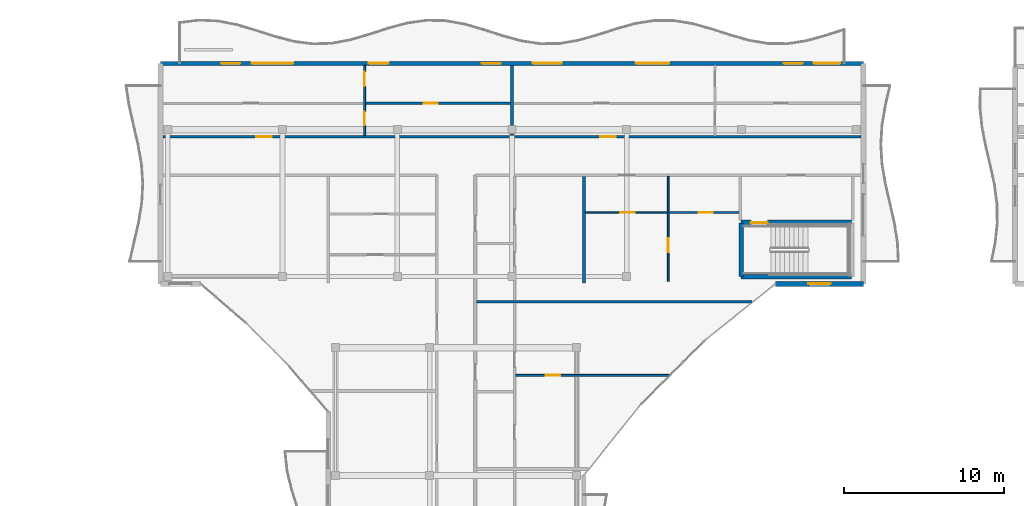
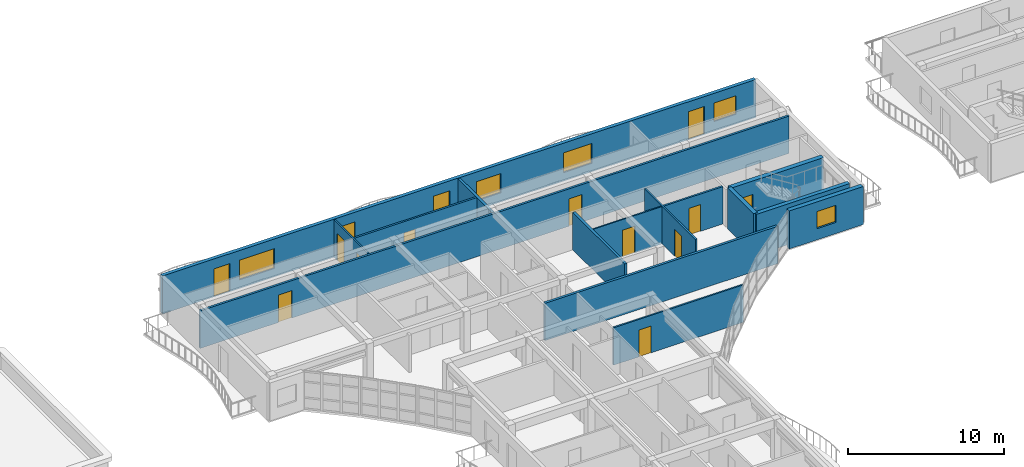
# One storey, part 23 of 39: 15 walls, 13 doors, 6 windows, 19 openings.
"""IFC4 building model written with IfcOpenShell, lengths in metres."""

from ifc_helpers import new_model, si_unit, direction, frame, frame_2d, origin, place, context, subcontext, project, spatial, rectangle, extrude, material, layer, layer_set, type_object, element, fill, save


model = new_model("IFC4")

# Units and contexts
model_context = context("Model", 3, precision=1e-05, world=origin(), true_north=direction((0.0, 1.0)))
body_context = subcontext(model_context, "Body", "Model", "MODEL_VIEW")
ifc_project = project(units=[si_unit("LENGTHUNIT", "METRE"), si_unit("AREAUNIT", "SQUARE_METRE"), si_unit("VOLUMEUNIT", "CUBIC_METRE"), si_unit("PLANEANGLEUNIT", "RADIAN"), si_unit("MASSUNIT", "GRAM", prefix="KILO")], contexts=[model_context])

# Site, building, storey
site_placement = place(None, origin())
site = spatial("IfcSite", under=ifc_project, at=site_placement, CompositionType="ELEMENT")
building_placement = place(site_placement, origin())
building = spatial("IfcBuilding", under=site, at=building_placement, Name="Keldmere Railside Commons", CompositionType="ELEMENT")
storey_placement = place(building_placement, frame((0.0, 0.0, 32.9599609375)))
storey = spatial("IfcBuildingStorey", under=building, at=storey_placement, Name="L10", CompositionType="ELEMENT", Elevation=32.9599609375)

# Walls
ifc_material_1 = material(Name="Acoustic Gypsum Board Partition", Category="gypsum")
ifc_layer_1 = layer(ifc_material_1, 0.179931640625, Name="Acoustic Demising Partition 180")
ifc_layer_set_1 = layer_set([ifc_layer_1], Name="Acoustic Gypsum Board Partition")
wall_type_1 = type_object("IfcWallType", Name="Acoustic Demising Partition 180", PredefinedType="PARTITIONING", material=ifc_layer_set_1)
wall_1_placement = place(storey_placement, frame((120.0, 100.050048828125, 0.0), z_axis=(0.0, 0.0, 1.0), x_axis=(0.0, 1.0, 0.0)))
element("IfcWall", 1, at=wall_1_placement, inside=storey, type_object=wall_type_1, Name="IW-1 IW-L10-1324", PredefinedType="PARTITIONING", context=body_context, shape_type="SweptSolid", body=[
    extrude(rectangle(XDim=6.669921875, YDim=0.179931640625, at=frame_2d((3.3349609375, 0.0))), origin(), (0.0, 0.0, 1.0), 2.93505859375),
])
wall_2_placement = place(storey_placement, frame((113.280029296875, 98.8798828125, 0.0), z_axis=(0.0, 0.0, 1.0), x_axis=(1.0, 0.0, 0.0)))
element("IfcWall", 2, at=wall_2_placement, inside=storey, type_object=wall_type_1, Name="IW-1 IW-L10-1330", PredefinedType="PARTITIONING", context=body_context, shape_type="SweptSolid", body=[
    extrude(rectangle(XDim=17.260009765625, YDim=0.179931640625, at=frame_2d((8.6298828125, 0.0))), origin(), (0.0, 0.0, 1.0), 2.93505859375),
])
wall_3_placement = place(storey_placement, frame((115.5, 109.280029296875, 0.0), z_axis=(0.0, 0.0, 1.0), x_axis=(0.0, 1.0, 0.0)))
element("IfcWall", 3, at=wall_3_placement, inside=storey, type_object=wall_type_1, Name="IW-1 IW-L10-1339", PredefinedType="PARTITIONING", context=body_context, shape_type="SweptSolid", body=[
    extrude(rectangle(XDim=4.389892578125, YDim=0.179931640625, at=frame_2d((2.19482421875, 0.0))), origin(), (0.0, 0.0, 1.0), 2.93505859375),
])

# Wall, opening, door
ifc_layer_2 = layer(ifc_material_1, 0.1201171875, Name="Apartment Interior Partition 120")
ifc_layer_set_2 = layer_set([ifc_layer_2], Name="Acoustic Gypsum Board Partition")
wall_type_2 = type_object("IfcWallType", Name="Apartment Interior Partition 120", PredefinedType="PARTITIONING", material=ifc_layer_set_2)
wall_4_placement = place(storey_placement, frame((115.719970703125, 94.27001953125, 0.0), z_axis=(0.0, 0.0, 1.0), x_axis=(1.0, 0.0, 0.0)))
wall_4 = element("IfcWall", 4, at=wall_4_placement, inside=storey, type_object=wall_type_2, Name="IW-4 IW-L10-1336", PredefinedType="PARTITIONING", context=body_context, shape_type="SweptSolid", body=[
    extrude(rectangle(XDim=9.617431640625, YDim=0.1201171875, at=frame_2d((4.80859375, 0.0))), origin(), (0.0, 0.0, 1.0), 2.93505859375),
])
opening_1_placement = place(wall_4_placement, frame((1.888916015625, 0.0, 0.0)))
opening_1 = element("IfcOpeningElement", 5, at=opening_1_placement, cuts=wall_4, Name="Opening ID-01", PredefinedType="OPENING", context=body_context, shape_type="SweptSolid", body=[
    extrude(rectangle(XDim=0.89990234375, YDim=2.10009765625, at=frame_2d((0.449951171875, 1.050048828125))), frame((0.0, 0.070068359375, 0.0), z_axis=(0.0, -1.0, 0.0), x_axis=(1.0, 0.0, 0.0)), (0.0, 0.0, 1.0), 0.14013671875),
])
ifc_material_2 = material(Name="Engineered Oak Timber", Category="wood")
door_type_1 = type_object("IfcDoorType", Name="Primary Bedroom Door 900x2100", OperationType="NOTDEFINED", PredefinedType="DOOR", material=ifc_material_2)
door_1_placement = place(opening_1_placement, origin())
door_1 = element("IfcDoor", 6, at=door_1_placement, inside=storey, type_object=door_type_1, Name="ID-01 IDR-L10-1190", OperationType="SINGLE_SWING_RIGHT", OverallHeight=2.10009765625, OverallWidth=0.89990234375, PredefinedType="DOOR", context=body_context, shape_type="SweptSolid", body=[
    extrude(rectangle(XDim=0.89990234375, YDim=2.10009765625, at=frame_2d((0.449951171875, 1.050048828125))), frame((0.0, 0.02490234375, 0.0), z_axis=(0.0, -1.0, 0.0), x_axis=(1.0, 0.0, 0.0)), (0.0, 0.0, 1.0), 0.050048828125),
])
fill(opening_1, door_1)

# Wall, openings, doors
wall_5_placement = place(storey_placement, frame((106.27001953125, 109.280029296875, 0.0), z_axis=(0.0, 0.0, 1.0), x_axis=(0.0, 1.0, 0.0)))
wall_5 = element("IfcWall", 7, at=wall_5_placement, inside=storey, type_object=wall_type_2, Name="IW-4 IW-L10-1340", PredefinedType="PARTITIONING", context=body_context, shape_type="SweptSolid", body=[
    extrude(rectangle(XDim=4.389892578125, YDim=0.1201171875, at=frame_2d((2.19482421875, 0.0))), origin(), (0.0, 0.0, 1.0), 2.93505859375),
])
opening_2_placement = place(wall_5_placement, frame((0.646484375, 0.0, 0.0)))
opening_2 = element("IfcOpeningElement", 8, at=opening_2_placement, cuts=wall_5, Name="Opening ID-04", PredefinedType="OPENING", context=body_context, shape_type="SweptSolid", body=[
    extrude(rectangle(XDim=0.860107421875, YDim=2.10009765625, at=frame_2d((0.43017578125, 1.050048828125))), frame((0.0, 0.070068359375, 0.0), z_axis=(0.0, -1.0, 0.0), x_axis=(1.0, 0.0, 0.0)), (0.0, 0.0, 1.0), 0.14013671875),
])
opening_3_placement = place(wall_5_placement, frame((3.08642578125, 0.0, 0.0)))
opening_3 = element("IfcOpeningElement", 9, at=opening_3_placement, cuts=wall_5, Name="Opening ID-01", PredefinedType="OPENING", context=body_context, shape_type="SweptSolid", body=[
    extrude(rectangle(XDim=0.89990234375, YDim=2.10009765625, at=frame_2d((0.449951171875, 1.050048828125))), frame((0.0, 0.070068359375, 0.0), z_axis=(0.0, -1.0, 0.0), x_axis=(1.0, 0.0, 0.0)), (0.0, 0.0, 1.0), 0.14013671875),
])
door_type_2 = type_object("IfcDoorType", Name="Apartment Bathroom Door 860x2100", OperationType="NOTDEFINED", PredefinedType="DOOR", material=ifc_material_2)
door_2_placement = place(opening_2_placement, origin())
door_2 = element("IfcDoor", 10, at=door_2_placement, inside=storey, type_object=door_type_2, Name="ID-04 IDR-L10-1196", OperationType="SINGLE_SWING_RIGHT", OverallHeight=2.10009765625, OverallWidth=0.860107421875, PredefinedType="DOOR", context=body_context, shape_type="SweptSolid", body=[
    extrude(rectangle(XDim=0.860107421875, YDim=2.10009765625, at=frame_2d((0.43017578125, 1.050048828125))), frame((0.0, 0.02490234375, 0.0), z_axis=(0.0, -1.0, 0.0), x_axis=(1.0, 0.0, 0.0)), (0.0, 0.0, 1.0), 0.050048828125),
])
fill(opening_2, door_2)
door_3_placement = place(opening_3_placement, origin())
door_3 = element("IfcDoor", 11, at=door_3_placement, inside=storey, type_object=door_type_1, Name="ID-01 IDR-L10-1197", OperationType="SINGLE_SWING_LEFT", OverallHeight=2.10009765625, OverallWidth=0.89990234375, PredefinedType="DOOR", context=body_context, shape_type="SweptSolid", body=[
    extrude(rectangle(XDim=0.89990234375, YDim=2.10009765625, at=frame_2d((0.449951171875, 1.050048828125))), frame((0.0, 0.02490234375, 0.0), z_axis=(0.0, -1.0, 0.0), x_axis=(1.0, 0.0, 0.0)), (0.0, 0.0, 1.0), 0.050048828125),
])
fill(opening_3, door_3)

# Wall, opening, door
wall_6_placement = place(storey_placement, frame((125.280029296875, 100.159912109375, 0.0), z_axis=(0.0, 0.0, 1.0), x_axis=(0.0, 1.0, 0.0)))
wall_6 = element("IfcWall", 12, at=wall_6_placement, inside=storey, type_object=wall_type_2, Name="IW-4 IW-L10-1346", PredefinedType="PARTITIONING", context=body_context, shape_type="SweptSolid", body=[
    extrude(rectangle(XDim=6.56005859375, YDim=0.1201171875, at=frame_2d((3.280029296875, 0.0))), origin(), (0.0, 0.0, 1.0), 2.93505859375),
])
opening_4_placement = place(wall_6_placement, frame((1.810302734375, 0.0, 0.0)))
opening_4 = element("IfcOpeningElement", 13, at=opening_4_placement, cuts=wall_6, Name="Opening ID-02", PredefinedType="OPENING", context=body_context, shape_type="SweptSolid", body=[
    extrude(rectangle(XDim=0.8798828125, YDim=2.10009765625, at=frame_2d((0.43994140625, 1.050048828125))), frame((0.0, 0.070068359375, 0.0), z_axis=(0.0, -1.0, 0.0), x_axis=(1.0, 0.0, 0.0)), (0.0, 0.0, 1.0), 0.14013671875),
])
door_type_3 = type_object("IfcDoorType", Name="Secondary Bedroom Door 880x2100", OperationType="NOTDEFINED", PredefinedType="DOOR", material=ifc_material_2)
door_4_placement = place(opening_4_placement, origin())
door_4 = element("IfcDoor", 14, at=door_4_placement, inside=storey, type_object=door_type_3, Name="ID-02 IDR-L10-1206", OperationType="SINGLE_SWING_RIGHT", OverallHeight=2.10009765625, OverallWidth=0.8798828125, PredefinedType="DOOR", context=body_context, shape_type="SweptSolid", body=[
    extrude(rectangle(XDim=0.8798828125, YDim=2.10009765625, at=frame_2d((0.43994140625, 1.050048828125))), frame((0.0, 0.02490234375, 0.0), z_axis=(0.0, -1.0, 0.0), x_axis=(1.0, 0.0, 0.0)), (0.0, 0.0, 1.0), 0.050048828125),
])
fill(opening_4, door_4)

ifc_layer_3 = layer(ifc_material_1, 0.10009765625, Name="Closet Light Partition 100")
ifc_layer_set_3 = layer_set([ifc_layer_3], Name="Acoustic Gypsum Board Partition")
wall_type_3 = type_object("IfcWallType", Name="Closet Light Partition 100", PredefinedType="PARTITIONING", material=ifc_layer_set_3)
wall_7_placement = place(storey_placement, frame((120.090087890625, 104.469970703125, 0.0), z_axis=(0.0, 0.0, 1.0), x_axis=(1.0, 0.0, 0.0)))
wall_7 = element("IfcWall", 15, at=wall_7_placement, inside=storey, type_object=wall_type_3, Name="IW-6 IW-L10-1348", PredefinedType="PARTITIONING", context=body_context, shape_type="SweptSolid", body=[
    extrude(rectangle(XDim=5.1298828125, YDim=0.10009765625, at=frame_2d((2.56494140625, 0.0))), origin(), (0.0, 0.0, 1.0), 2.93505859375),
])
opening_5_placement = place(wall_7_placement, frame((2.1796875, 0.0, 0.0)))
opening_5 = element("IfcOpeningElement", 16, at=opening_5_placement, cuts=wall_7, Name="Opening ID-03", PredefinedType="OPENING", context=body_context, shape_type="SweptSolid", body=[
    extrude(rectangle(XDim=0.919921875, YDim=2.10009765625, at=frame_2d((0.4599609375, 1.050048828125))), frame((0.0, 0.06005859375, 0.0), z_axis=(0.0, -1.0, 0.0), x_axis=(1.0, 0.0, 0.0)), (0.0, 0.0, 1.0), 0.1201171875),
])
door_type_4 = type_object("IfcDoorType", Name="Kitchen Pocket-Frame Swing Door 920x2100", OperationType="NOTDEFINED", PredefinedType="DOOR", material=ifc_material_2)
door_5_placement = place(opening_5_placement, origin())
door_5 = element("IfcDoor", 17, at=door_5_placement, inside=storey, type_object=door_type_4, Name="ID-03 IDR-L10-1205", OperationType="SINGLE_SWING_LEFT", OverallHeight=2.10009765625, OverallWidth=0.919921875, PredefinedType="DOOR", context=body_context, shape_type="SweptSolid", body=[
    extrude(rectangle(XDim=0.919921875, YDim=2.10009765625, at=frame_2d((0.4599609375, 1.050048828125))), frame((0.0, 0.02490234375, 0.0), z_axis=(0.0, -1.0, 0.0), x_axis=(1.0, 0.0, 0.0)), (0.0, 0.0, 1.0), 0.050048828125),
])
fill(opening_5, door_5)

# Wall, openings, doors
ifc_layer_4 = layer(ifc_material_1, 0.159912109375, Name="Corridor Fire Partition 160")
ifc_layer_set_4 = layer_set([ifc_layer_4], Name="Acoustic Gypsum Board Partition")
wall_type_4 = type_object("IfcWallType", Name="Corridor Fire Partition 160", PredefinedType="PARTITIONING", material=ifc_layer_set_4)
wall_8_placement = place(storey_placement, frame((93.659912109375, 109.199951171875, 0.0), z_axis=(0.0, 0.0, 1.0), x_axis=(1.0, 0.0, 0.0)))
wall_8 = element("IfcWall", 18, at=wall_8_placement, inside=storey, type_object=wall_type_4, Name="IW-2 IW-L10-1323", PredefinedType="PARTITIONING", context=body_context, shape_type="SweptSolid", body=[
    extrude(rectangle(XDim=43.68017578125, YDim=0.159912109375, at=frame_2d((21.840087890625, 0.0))), origin(), (0.0, 0.0, 1.0), 2.93505859375),
])
opening_6_placement = place(wall_8_placement, frame((5.81494140625, 0.0, 0.0)))
opening_6 = element("IfcOpeningElement", 19, at=opening_6_placement, cuts=wall_8, Name="Opening FD-7", PredefinedType="OPENING", context=body_context, shape_type="SweptSolid", body=[
    extrude(rectangle(XDim=0.97998046875, YDim=2.14990234375, at=frame_2d((0.489990234375, 1.074951171875))), frame((0.0, 0.08984375, 0.0), z_axis=(0.0, -1.0, 0.0), x_axis=(1.0, 0.0, 0.0)), (0.0, 0.0, 1.0), 0.179931640625),
])
opening_7_placement = place(wall_8_placement, frame((27.35009765625, 0.0, 0.0)))
opening_7 = element("IfcOpeningElement", 20, at=opening_7_placement, cuts=wall_8, Name="Opening FD-7", PredefinedType="OPENING", context=body_context, shape_type="SweptSolid", body=[
    extrude(rectangle(XDim=0.97998046875, YDim=2.14990234375, at=frame_2d((0.489990234375, 1.074951171875))), frame((0.0, 0.08984375, 0.0), z_axis=(0.0, -1.0, 0.0), x_axis=(1.0, 0.0, 0.0)), (0.0, 0.0, 1.0), 0.179931640625),
])
door_type_5 = type_object("IfcDoorType", Name="Apartment Entrance Acoustic Fire Door 980x2150", OperationType="NOTDEFINED", PredefinedType="DOOR", material=ifc_material_2)
door_6_placement = place(opening_6_placement, origin())
door_6 = element("IfcDoor", 21, at=door_6_placement, inside=storey, type_object=door_type_5, Name="FD-7 IDR-L10-1194", OperationType="SINGLE_SWING_RIGHT", OverallHeight=2.14990234375, OverallWidth=0.97998046875, PredefinedType="DOOR", context=body_context, shape_type="SweptSolid", body=[
    extrude(rectangle(XDim=0.97998046875, YDim=2.14990234375, at=frame_2d((0.489990234375, 1.074951171875))), frame((0.0, 0.02490234375, 0.0), z_axis=(0.0, -1.0, 0.0), x_axis=(1.0, 0.0, 0.0)), (0.0, 0.0, 1.0), 0.050048828125),
])
fill(opening_6, door_6)
door_7_placement = place(opening_7_placement, origin())
door_7 = element("IfcDoor", 22, at=door_7_placement, inside=storey, type_object=door_type_5, Name="FD-7 IDR-L10-1199", OperationType="SINGLE_SWING_LEFT", OverallHeight=2.14990234375, OverallWidth=0.97998046875, PredefinedType="DOOR", context=body_context, shape_type="SweptSolid", body=[
    extrude(rectangle(XDim=0.97998046875, YDim=2.14990234375, at=frame_2d((0.489990234375, 1.074951171875))), frame((0.0, 0.02490234375, 0.0), z_axis=(0.0, -1.0, 0.0), x_axis=(1.0, 0.0, 0.0)), (0.0, 0.0, 1.0), 0.050048828125),
])
fill(opening_7, door_7)

# Wall, opening, window
ifc_material_3 = material(Name="Concrete H-35 (C35/45)", Category="concrete")
ifc_layer_5 = layer(ifc_material_3, 0.320068359375, Name="Exterior Shear Wall 320")
ifc_layer_set_5 = layer_set([ifc_layer_5], Name="Concrete H-35 (C35/45)")
wall_type_5 = type_object("IfcWallType", Name="Exterior Shear Wall 320", PredefinedType="SHEAR", material=ifc_layer_set_5)
wall_9_placement = place(storey_placement, frame((137.5, 100.0, 0.0), z_axis=(0.0, 0.0, 1.0), x_axis=(-1.0, 0.0, 0.0)))
wall_9 = element("IfcWall", 23, at=wall_9_placement, inside=storey, type_object=wall_type_5, Name="ESW-2 EXTB-L10-0666", PredefinedType="SHEAR", context=body_context, shape_type="SweptSolid", body=[
    extrude(rectangle(XDim=5.5, YDim=0.320068359375, at=frame_2d((2.75, 0.0))), origin(), (0.0, 0.0, 1.0), 2.97998046875),
])
opening_8_placement = place(wall_9_placement, frame((2.050048828125, 0.0, 0.8701171875)))
opening_8 = element("IfcOpeningElement", 24, at=opening_8_placement, cuts=wall_9, Name="Opening WN-08", PredefinedType="OPENING", context=body_context, shape_type="SweptSolid", body=[
    extrude(rectangle(XDim=1.39990234375, YDim=1.35009765625, at=frame_2d((0.699951171875, 0.675048828125))), frame((0.0, 0.169921875, 0.0), z_axis=(0.0, -1.0, 0.0), x_axis=(1.0, 0.0, 0.0)), (0.0, 0.0, 1.0), 0.340087890625),
])
ifc_material_4 = material(Name="Low-E Insulated Double Glazing", Category="glass")
window_type_1 = type_object("IfcWindowType", Name="Primary Bedroom East/West Window 1400x1350", PartitioningType="SINGLE_PANEL", PredefinedType="WINDOW", material=ifc_material_4)
window_1_placement = place(opening_8_placement, origin())
window_1 = element("IfcWindow", 25, at=window_1_placement, inside=storey, type_object=window_type_1, Name="WN-08 WIN-L10-0529", OverallHeight=1.35009765625, OverallWidth=1.39990234375, PartitioningType="SINGLE_PANEL", PredefinedType="WINDOW", context=body_context, shape_type="SweptSolid", body=[
    extrude(rectangle(XDim=1.39990234375, YDim=1.35009765625, at=frame_2d((0.699951171875, 0.675048828125))), frame((0.0, 0.030029296875, 0.0), z_axis=(0.0, -1.0, 0.0), x_axis=(1.0, 0.0, 0.0)), (0.0, 0.0, 1.0), 0.06005859375),
])
fill(opening_8, window_1)

# Walls
ifc_layer_6 = layer(ifc_material_3, 0.300048828125, Name="Interior Shear Wall 300")
ifc_layer_set_6 = layer_set([ifc_layer_6], Name="Concrete H-35 (C35/45)")
wall_type_6 = type_object("IfcWallType", Name="Interior Shear Wall 300", PredefinedType="SHEAR", material=ifc_layer_set_6)
wall_10_placement = place(storey_placement, frame((129.85009765625, 100.449951171875, 0.0), z_axis=(0.0, 0.0, 1.0), x_axis=(1.0, 0.0, 0.0)))
element("IfcWall", 26, at=wall_10_placement, inside=storey, type_object=wall_type_6, Name="ISW-2 COREB2S-L10-0560", PredefinedType="SHEAR", context=body_context, shape_type="SweptSolid", body=[
    extrude(rectangle(XDim=6.89990234375, YDim=0.300048828125, at=frame_2d((3.449951171875, 0.0))), origin(), (0.0, 0.0, 1.0), 3.199951171875),
])
wall_11_placement = place(storey_placement, frame((129.85009765625, 103.820068359375, 0.0), z_axis=(0.0, 0.0, 1.0), x_axis=(0.0, -1.0, 0.0)))
element("IfcWall", 27, at=wall_11_placement, inside=storey, type_object=wall_type_6, Name="ISW-2 COREB2W-L10-0562", PredefinedType="SHEAR", context=body_context, shape_type="SweptSolid", body=[
    extrude(rectangle(XDim=3.3701171875, YDim=0.300048828125, at=frame_2d((1.68505859375, 0.0))), origin(), (0.0, 0.0, 1.0), 3.199951171875),
])

# Wall, opening, door
ifc_layer_7 = layer(ifc_material_3, 0.340087890625, Name="Interior Shear Wall 340")
ifc_layer_set_7 = layer_set([ifc_layer_7], Name="Concrete H-35 (C35/45)")
wall_type_7 = type_object("IfcWallType", Name="Interior Shear Wall 340", PredefinedType="SHEAR", material=ifc_layer_set_7)
wall_12_placement = place(storey_placement, frame((136.75, 103.820068359375, 0.0), z_axis=(0.0, 0.0, 1.0), x_axis=(-1.0, 0.0, 0.0)))
wall_12 = element("IfcWall", 28, at=wall_12_placement, inside=storey, type_object=wall_type_7, Name="ISW-1 COREB2N-L10-0561", PredefinedType="SHEAR", context=body_context, shape_type="SweptSolid", body=[
    extrude(rectangle(XDim=6.89990234375, YDim=0.340087890625, at=frame_2d((3.449951171875, 0.0))), origin(), (0.0, 0.0, 1.0), 3.199951171875),
])
opening_9_placement = place(wall_12_placement, frame((5.25, 0.0, 0.0)))
opening_9 = element("IfcOpeningElement", 29, at=opening_9_placement, cuts=wall_12, Name="Opening FD-1", PredefinedType="OPENING", context=body_context, shape_type="SweptSolid", body=[
    extrude(rectangle(XDim=1.050048828125, YDim=2.14990234375, at=frame_2d((0.52490234375, 1.074951171875))), frame((0.0, 0.179931640625, 0.0), z_axis=(0.0, -1.0, 0.0), x_axis=(1.0, 0.0, 0.0)), (0.0, 0.0, 1.0), 0.360107421875),
])
ifc_material_5 = material(Name="Steel F-24 (S235)", Category="steel")
door_type_6 = type_object("IfcDoorType", Name="Stair Core Fire Door 1050x2150", OperationType="NOTDEFINED", PredefinedType="DOOR", material=ifc_material_5)
door_8_placement = place(opening_9_placement, origin())
door_8 = element("IfcDoor", 30, at=door_8_placement, inside=storey, type_object=door_type_6, Name="FD-1 B2 L10", OperationType="SINGLE_SWING_RIGHT", OverallHeight=2.14990234375, OverallWidth=1.050048828125, PredefinedType="DOOR", context=body_context, shape_type="SweptSolid", body=[
    extrude(rectangle(XDim=1.050048828125, YDim=2.14990234375, at=frame_2d((0.52490234375, 1.074951171875))), frame((0.0, 0.02490234375, 0.0), z_axis=(0.0, -1.0, 0.0), x_axis=(1.0, 0.0, 0.0)), (0.0, 0.0, 1.0), 0.050048828125),
])
fill(opening_9, door_8)

# Wall, openings, doors, windows
ifc_material_6 = material(Name="Terracotta Brick Masonry", Category="masonry")
ifc_layer_8 = layer(ifc_material_6, 0.260009765625, Name="Terracotta Cavity Wall 260")
ifc_layer_set_8 = layer_set([ifc_layer_8], Name="Terracotta Brick Masonry")
wall_type_8 = type_object("IfcWallType", Name="Terracotta Cavity Wall 260", PredefinedType="SOLIDWALL", material=ifc_layer_set_8)
wall_13_placement = place(storey_placement, frame((93.5, 113.800048828125, 0.0), z_axis=(0.0, 0.0, 1.0), x_axis=(1.0, 0.0, 0.0)))
wall_13 = element("IfcWall", 31, at=wall_13_placement, inside=storey, type_object=wall_type_8, Name="EW-1 EXTB-L10-0668", PredefinedType="SOLIDWALL", context=body_context, shape_type="SweptSolid", body=[
    extrude(rectangle(XDim=44.0, YDim=0.260009765625, at=frame_2d((22.0, 0.0))), origin(), (0.0, 0.0, 1.0), 2.97998046875),
])
opening_10_placement = place(wall_13_placement, frame((3.800048828125, 0.0, 0.0)))
opening_10 = element("IfcOpeningElement", 32, at=opening_10_placement, cuts=wall_13, Name="Opening BD-01", PredefinedType="OPENING", context=body_context, shape_type="SweptSolid", body=[
    extrude(rectangle(XDim=1.199951171875, YDim=2.199951171875, at=frame_2d((0.60009765625, 1.10009765625))), frame((0.0, 0.139892578125, 0.0), z_axis=(0.0, -1.0, 0.0), x_axis=(1.0, 0.0, 0.0)), (0.0, 0.0, 1.0), 0.280029296875),
])
opening_11_placement = place(wall_13_placement, frame((5.699951171875, 0.0, 0.669921875)))
opening_11 = element("IfcOpeningElement", 33, at=opening_11_placement, cuts=wall_13, Name="Opening WN-39", PredefinedType="OPENING", context=body_context, shape_type="SweptSolid", body=[
    extrude(rectangle(XDim=2.60009765625, YDim=1.550048828125, at=frame_2d((1.300048828125, 0.77490234375))), frame((0.0, 0.139892578125, 0.0), z_axis=(0.0, -1.0, 0.0), x_axis=(1.0, 0.0, 0.0)), (0.0, 0.0, 1.0), 0.280029296875),
])
opening_12_placement = place(wall_13_placement, frame((13.02490234375, 0.0, 0.8701171875)))
opening_12 = element("IfcOpeningElement", 34, at=opening_12_placement, cuts=wall_13, Name="Opening WN-09", PredefinedType="OPENING", context=body_context, shape_type="SweptSolid", body=[
    extrude(rectangle(XDim=1.25, YDim=1.35009765625, at=frame_2d((0.625, 0.675048828125))), frame((0.0, 0.139892578125, 0.0), z_axis=(0.0, -1.0, 0.0), x_axis=(1.0, 0.0, 0.0)), (0.0, 0.0, 1.0), 0.280029296875),
])
opening_13_placement = place(wall_13_placement, frame((20.10009765625, 0.0, 0.0)))
opening_13 = element("IfcOpeningElement", 35, at=opening_13_placement, cuts=wall_13, Name="Opening BD-01", PredefinedType="OPENING", context=body_context, shape_type="SweptSolid", body=[
    extrude(rectangle(XDim=1.199951171875, YDim=2.199951171875, at=frame_2d((0.60009765625, 1.10009765625))), frame((0.0, 0.139892578125, 0.0), z_axis=(0.0, -1.0, 0.0), x_axis=(1.0, 0.0, 0.0)), (0.0, 0.0, 1.0), 0.280029296875),
])
opening_14_placement = place(wall_13_placement, frame((23.300048828125, 0.0, 0.719970703125)))
opening_14 = element("IfcOpeningElement", 36, at=opening_14_placement, cuts=wall_13, Name="Opening WN-01", PredefinedType="OPENING", context=body_context, shape_type="SweptSolid", body=[
    extrude(rectangle(XDim=1.800048828125, YDim=1.5, at=frame_2d((0.89990234375, 0.75))), frame((0.0, 0.139892578125, 0.0), z_axis=(0.0, -1.0, 0.0), x_axis=(1.0, 0.0, 0.0)), (0.0, 0.0, 1.0), 0.280029296875),
])
opening_15_placement = place(wall_13_placement, frame((29.75, 0.0, 0.669921875)))
opening_15 = element("IfcOpeningElement", 37, at=opening_15_placement, cuts=wall_13, Name="Opening WN-11", PredefinedType="OPENING", context=body_context, shape_type="SweptSolid", body=[
    extrude(rectangle(XDim=2.10009765625, YDim=1.550048828125, at=frame_2d((1.050048828125, 0.77490234375))), frame((0.0, 0.139892578125, 0.0), z_axis=(0.0, -1.0, 0.0), x_axis=(1.0, 0.0, 0.0)), (0.0, 0.0, 1.0), 0.280029296875),
])
opening_16_placement = place(wall_13_placement, frame((39.0, 0.0, 0.0)))
opening_16 = element("IfcOpeningElement", 38, at=opening_16_placement, cuts=wall_13, Name="Opening BD-01", PredefinedType="OPENING", context=body_context, shape_type="SweptSolid", body=[
    extrude(rectangle(XDim=1.199951171875, YDim=2.199951171875, at=frame_2d((0.60009765625, 1.10009765625))), frame((0.0, 0.139892578125, 0.0), z_axis=(0.0, -1.0, 0.0), x_axis=(1.0, 0.0, 0.0)), (0.0, 0.0, 1.0), 0.280029296875),
])
opening_17_placement = place(wall_13_placement, frame((40.89990234375, 0.0, 0.77001953125)))
opening_17 = element("IfcOpeningElement", 39, at=opening_17_placement, cuts=wall_13, Name="Opening WN-03", PredefinedType="OPENING", context=body_context, shape_type="SweptSolid", body=[
    extrude(rectangle(XDim=1.64990234375, YDim=1.449951171875, at=frame_2d((0.824951171875, 0.72509765625))), frame((0.0, 0.139892578125, 0.0), z_axis=(0.0, -1.0, 0.0), x_axis=(1.0, 0.0, 0.0)), (0.0, 0.0, 1.0), 0.280029296875),
])
ifc_material_7 = material(Name="Thermally Broken Aluminium", Category="aluminium")
door_type_7 = type_object("IfcDoorType", Name="Apartment Living Wave-Balcony Glazed Door 1200x2200", OperationType="NOTDEFINED", PredefinedType="DOOR", material=ifc_material_7)
door_9_placement = place(opening_10_placement, origin())
door_9 = element("IfcDoor", 40, at=door_9_placement, inside=storey, type_object=door_type_7, Name="BD-01 DR-L10-0201", OperationType="SINGLE_SWING_LEFT", OverallHeight=2.199951171875, OverallWidth=1.199951171875, PredefinedType="DOOR", context=body_context, shape_type="SweptSolid", body=[
    extrude(rectangle(XDim=1.199951171875, YDim=2.199951171875, at=frame_2d((0.60009765625, 1.10009765625))), frame((0.0, 0.02490234375, 0.0), z_axis=(0.0, -1.0, 0.0), x_axis=(1.0, 0.0, 0.0)), (0.0, 0.0, 1.0), 0.050048828125),
])
fill(opening_10, door_9)
door_10_placement = place(opening_13_placement, origin())
door_10 = element("IfcDoor", 41, at=door_10_placement, inside=storey, type_object=door_type_7, Name="BD-01 DR-L10-0202", OperationType="SINGLE_SWING_RIGHT", OverallHeight=2.199951171875, OverallWidth=1.199951171875, PredefinedType="DOOR", context=body_context, shape_type="SweptSolid", body=[
    extrude(rectangle(XDim=1.199951171875, YDim=2.199951171875, at=frame_2d((0.60009765625, 1.10009765625))), frame((0.0, 0.02490234375, 0.0), z_axis=(0.0, -1.0, 0.0), x_axis=(1.0, 0.0, 0.0)), (0.0, 0.0, 1.0), 0.050048828125),
])
fill(opening_13, door_10)
door_11_placement = place(opening_16_placement, origin())
door_11 = element("IfcDoor", 42, at=door_11_placement, inside=storey, type_object=door_type_7, Name="BD-01 DR-L10-0203", OperationType="SINGLE_SWING_LEFT", OverallHeight=2.199951171875, OverallWidth=1.199951171875, PredefinedType="DOOR", context=body_context, shape_type="SweptSolid", body=[
    extrude(rectangle(XDim=1.199951171875, YDim=2.199951171875, at=frame_2d((0.60009765625, 1.10009765625))), frame((0.0, 0.02490234375, 0.0), z_axis=(0.0, -1.0, 0.0), x_axis=(1.0, 0.0, 0.0)), (0.0, 0.0, 1.0), 0.050048828125),
])
fill(opening_16, door_11)
window_type_2 = type_object("IfcWindowType", Name="Living Room East Shaded Window 1650x1450", PartitioningType="SINGLE_PANEL", PredefinedType="WINDOW", material=ifc_material_4)
window_2_placement = place(opening_17_placement, origin())
window_2 = element("IfcWindow", 43, at=window_2_placement, inside=storey, type_object=window_type_2, Name="WN-03 WIN-L10-0535", OverallHeight=1.449951171875, OverallWidth=1.64990234375, PartitioningType="SINGLE_PANEL", PredefinedType="WINDOW", context=body_context, shape_type="SweptSolid", body=[
    extrude(rectangle(XDim=1.64990234375, YDim=1.449951171875, at=frame_2d((0.824951171875, 0.72509765625))), frame((0.0, 0.030029296875, 0.0), z_axis=(0.0, -1.0, 0.0), x_axis=(1.0, 0.0, 0.0)), (0.0, 0.0, 1.0), 0.06005859375),
])
fill(opening_17, window_2)
window_type_3 = type_object("IfcWindowType", Name="Living Room North Casement Window 1800x1500", PartitioningType="SINGLE_PANEL", PredefinedType="WINDOW", material=ifc_material_4)
window_3_placement = place(opening_14_placement, origin())
window_3 = element("IfcWindow", 44, at=window_3_placement, inside=storey, type_object=window_type_3, Name="WN-01 WIN-L10-0533", OverallHeight=1.5, OverallWidth=1.800048828125, PartitioningType="SINGLE_PANEL", PredefinedType="WINDOW", context=body_context, shape_type="SweptSolid", body=[
    extrude(rectangle(XDim=1.800048828125, YDim=1.5, at=frame_2d((0.89990234375, 0.75))), frame((0.0, 0.030029296875, 0.0), z_axis=(0.0, -1.0, 0.0), x_axis=(1.0, 0.0, 0.0)), (0.0, 0.0, 1.0), 0.06005859375),
])
fill(opening_14, window_3)
window_type_4 = type_object("IfcWindowType", Name="Secondary Bedroom Window 1250x1350", PartitioningType="SINGLE_PANEL", PredefinedType="WINDOW", material=ifc_material_4)
window_4_placement = place(opening_12_placement, origin())
window_4 = element("IfcWindow", 45, at=window_4_placement, inside=storey, type_object=window_type_4, Name="WN-09 WIN-L10-0532", OverallHeight=1.35009765625, OverallWidth=1.25, PartitioningType="SINGLE_PANEL", PredefinedType="WINDOW", context=body_context, shape_type="SweptSolid", body=[
    extrude(rectangle(XDim=1.25, YDim=1.35009765625, at=frame_2d((0.625, 0.675048828125))), frame((0.0, 0.030029296875, 0.0), z_axis=(0.0, -1.0, 0.0), x_axis=(1.0, 0.0, 0.0)), (0.0, 0.0, 1.0), 0.06005859375),
])
fill(opening_12, window_4)
window_type_5 = type_object("IfcWindowType", Name="Studio Wide Casement Window 2100x1550", PartitioningType="SINGLE_PANEL", PredefinedType="WINDOW", material=ifc_material_4)
window_5_placement = place(opening_15_placement, origin())
window_5 = element("IfcWindow", 46, at=window_5_placement, inside=storey, type_object=window_type_5, Name="WN-11 WIN-L10-0534", OverallHeight=1.550048828125, OverallWidth=2.10009765625, PartitioningType="SINGLE_PANEL", PredefinedType="WINDOW", context=body_context, shape_type="SweptSolid", body=[
    extrude(rectangle(XDim=2.10009765625, YDim=1.550048828125, at=frame_2d((1.050048828125, 0.77490234375))), frame((0.0, 0.030029296875, 0.0), z_axis=(0.0, -1.0, 0.0), x_axis=(1.0, 0.0, 0.0)), (0.0, 0.0, 1.0), 0.06005859375),
])
fill(opening_15, window_5)
window_type_6 = type_object("IfcWindowType", Name="Three-Bed Corner Living Window 2600x1550", PartitioningType="SINGLE_PANEL", PredefinedType="WINDOW", material=ifc_material_4)
window_6_placement = place(opening_11_placement, origin())
window_6 = element("IfcWindow", 47, at=window_6_placement, inside=storey, type_object=window_type_6, Name="WN-39 WIN-L10-0531", OverallHeight=1.550048828125, OverallWidth=2.60009765625, PartitioningType="SINGLE_PANEL", PredefinedType="WINDOW", context=body_context, shape_type="SweptSolid", body=[
    extrude(rectangle(XDim=2.60009765625, YDim=1.550048828125, at=frame_2d((1.300048828125, 0.77490234375))), frame((0.0, 0.030029296875, 0.0), z_axis=(0.0, -1.0, 0.0), x_axis=(1.0, 0.0, 0.0)), (0.0, 0.0, 1.0), 0.06005859375),
])
fill(opening_11, window_6)

# Wall, opening, door
ifc_layer_9 = layer(ifc_material_1, 0.139892578125, Name="Wet-Room Sanitary Partition 140")
ifc_layer_set_9 = layer_set([ifc_layer_9], Name="Acoustic Gypsum Board Partition")
wall_type_9 = type_object("IfcWallType", Name="Wet-Room Sanitary Partition 140", PredefinedType="PARTITIONING", material=ifc_layer_set_9)
wall_14_placement = place(storey_placement, frame((106.330078125, 111.300048828125, 0.0), z_axis=(0.0, 0.0, 1.0), x_axis=(1.0, 0.0, 0.0)))
wall_14 = element("IfcWall", 48, at=wall_14_placement, inside=storey, type_object=wall_type_9, Name="IW-5 IW-L10-1341", PredefinedType="PARTITIONING", context=body_context, shape_type="SweptSolid", body=[
    extrude(rectangle(XDim=9.079833984375, YDim=0.139892578125, at=frame_2d((4.5400390625, 0.0))), origin(), (0.0, 0.0, 1.0), 2.93505859375),
])
opening_18_placement = place(wall_14_placement, frame((3.656005859375, 0.0, 0.0)))
opening_18 = element("IfcOpeningElement", 49, at=opening_18_placement, cuts=wall_14, Name="Opening ID-06", PredefinedType="OPENING", context=body_context, shape_type="SweptSolid", body=[
    extrude(rectangle(XDim=0.85009765625, YDim=2.050048828125, at=frame_2d((0.425048828125, 1.02490234375))), frame((0.0, 0.079833984375, 0.0), z_axis=(0.0, -1.0, 0.0), x_axis=(1.0, 0.0, 0.0)), (0.0, 0.0, 1.0), 0.159912109375),
])
door_type_8 = type_object("IfcDoorType", Name="Storage Closet Door 850x2050", OperationType="NOTDEFINED", PredefinedType="DOOR", material=ifc_material_2)
door_12_placement = place(opening_18_placement, origin())
door_12 = element("IfcDoor", 50, at=door_12_placement, inside=storey, type_object=door_type_8, Name="ID-06 IDR-L10-1198", OperationType="SINGLE_SWING_RIGHT", OverallHeight=2.050048828125, OverallWidth=0.85009765625, PredefinedType="DOOR", context=body_context, shape_type="SweptSolid", body=[
    extrude(rectangle(XDim=0.85009765625, YDim=2.050048828125, at=frame_2d((0.425048828125, 1.02490234375))), frame((0.0, 0.02490234375, 0.0), z_axis=(0.0, -1.0, 0.0), x_axis=(1.0, 0.0, 0.0)), (0.0, 0.0, 1.0), 0.050048828125),
])
fill(opening_18, door_12)

wall_15_placement = place(storey_placement, frame((125.340087890625, 104.469970703125, 0.0), z_axis=(0.0, 0.0, 1.0), x_axis=(1.0, 0.0, 0.0)))
wall_15 = element("IfcWall", 51, at=wall_15_placement, inside=storey, type_object=wall_type_9, Name="IW-5 IW-L10-1347", PredefinedType="PARTITIONING", context=body_context, shape_type="SweptSolid", body=[
    extrude(rectangle(XDim=4.35986328125, YDim=0.139892578125, at=frame_2d((2.179931640625, 0.0))), origin(), (0.0, 0.0, 1.0), 2.93505859375),
])
opening_19_placement = place(wall_15_placement, frame((1.8564453125, 0.0, 0.0)))
opening_19 = element("IfcOpeningElement", 52, at=opening_19_placement, cuts=wall_15, Name="Opening ID-04", PredefinedType="OPENING", context=body_context, shape_type="SweptSolid", body=[
    extrude(rectangle(XDim=0.860107421875, YDim=2.10009765625, at=frame_2d((0.43017578125, 1.050048828125))), frame((0.0, 0.079833984375, 0.0), z_axis=(0.0, -1.0, 0.0), x_axis=(1.0, 0.0, 0.0)), (0.0, 0.0, 1.0), 0.159912109375),
])
door_13_placement = place(opening_19_placement, origin())
door_13 = element("IfcDoor", 53, at=door_13_placement, inside=storey, type_object=door_type_2, Name="ID-04 IDR-L10-1207", OperationType="SINGLE_SWING_LEFT", OverallHeight=2.10009765625, OverallWidth=0.860107421875, PredefinedType="DOOR", context=body_context, shape_type="SweptSolid", body=[
    extrude(rectangle(XDim=0.860107421875, YDim=2.10009765625, at=frame_2d((0.43017578125, 1.050048828125))), frame((0.0, 0.02490234375, 0.0), z_axis=(0.0, -1.0, 0.0), x_axis=(1.0, 0.0, 0.0)), (0.0, 0.0, 1.0), 0.050048828125),
])
fill(opening_19, door_13)

save(model, "model.ifc")
